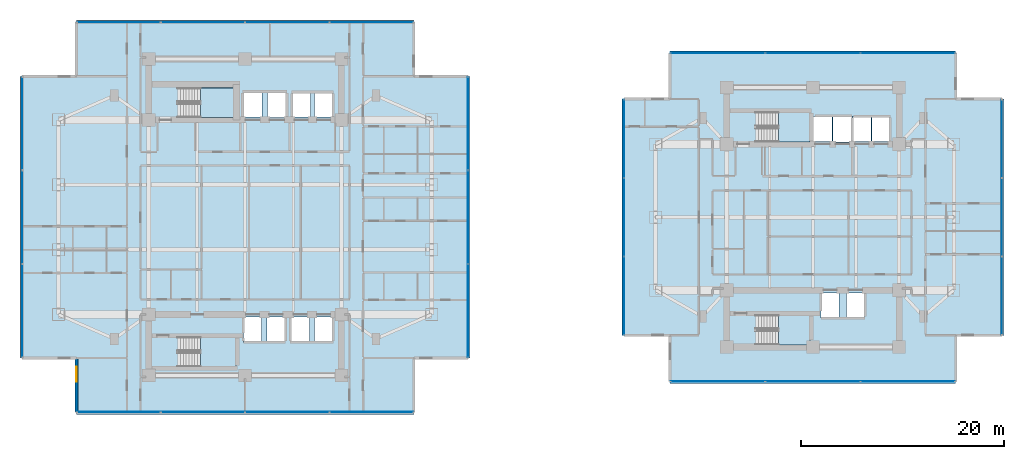
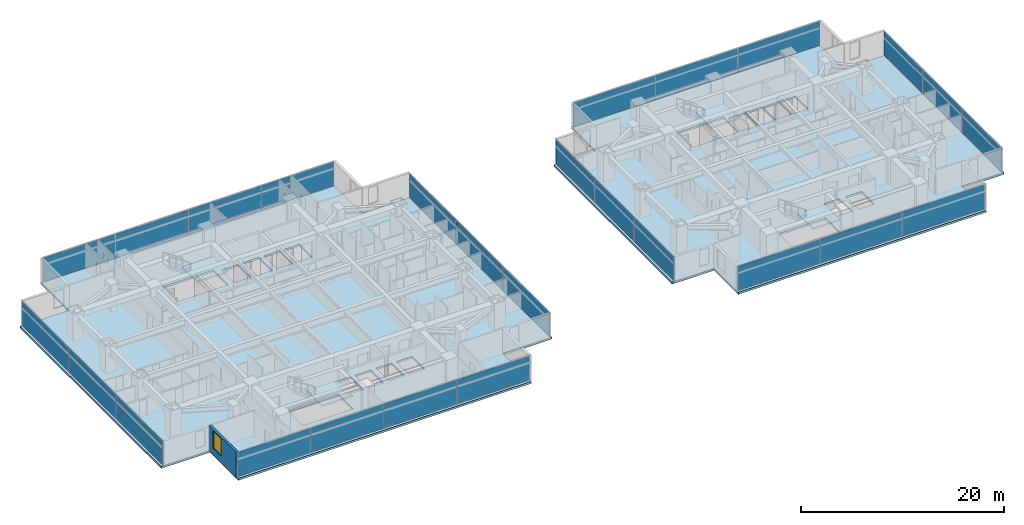
# One storey, part 12 of 24: 26 plates, 6 slabs, 1 wall, 1 window, 1 opening, 12 elements without a shape of their own.
"""IFC4 building model written with IfcOpenShell, lengths in metres."""

import ifcopenshell
import ifcopenshell.guid

model = None  # the IFC model being written
_history = None  # IfcOwnerHistory: only IFC2X3 demands one
_inside = {}  # id of a spatial element -> (the spatial element, [elements in it])
_under = {}  # id of a project, library or spatial element -> (it, [spatial elements below it])
_declared = {}  # id of a project -> (the project, [libraries it declares])
_typed = {}  # id of a type object -> (the type object, [elements of that type])
_made_of = {}  # id of a material, layer set ... -> (it, [elements and type objects made of it])


def new_model(schema):
    """Start an empty IFC model of exactly this schema.

    Asked for "IFC4X3", IfcOpenShell would pick the latest addendum, in which some entities
    have other attributes; the version numbers below select the first issue.
    IFC2X3 requires an IfcOwnerHistory on every rooted entity: one is made here for all.
    """
    global model, _history
    if schema == "IFC4X3":
        model = ifcopenshell.file(schema_version=(4, 3, 0, 0))
    else:
        model = ifcopenshell.file(schema=schema)
    _inside.clear()
    _under.clear()
    _declared.clear()
    _typed.clear()
    _made_of.clear()
    _history = None
    if model.schema == "IFC2X3":
        org = make("IfcOrganization", Name="unknown")
        user = make(
            "IfcPersonAndOrganization",
            ThePerson=make("IfcPerson", FamilyName="unknown"),
            TheOrganization=org,
        )
        app = make(
            "IfcApplication",
            ApplicationDeveloper=org,
            Version="unknown",
            ApplicationFullName="unknown",
            ApplicationIdentifier="unknown",
        )
        _history = make(
            "IfcOwnerHistory",
            OwningUser=user,
            OwningApplication=app,
            ChangeAction="ADDED",
            CreationDate=0,
        )
    return model


def make(cls, **values):
    """One entity of the class cls with the attributes given. An attribute that is None is left unset."""
    return model.create_entity(
        cls, **{name: value for name, value in values.items() if value is not None}
    )


def rooted(cls, **values):
    """An entity with a GlobalId (a new one), such as an element, a storey or a relation."""
    return make(cls, GlobalId=ifcopenshell.guid.new(), OwnerHistory=_history, **values)


def si_unit(unit_type, name, prefix=None):
    """IfcSIUnit, for example si_unit("LENGTHUNIT", "METRE", prefix="MILLI")."""
    return make("IfcSIUnit", UnitType=unit_type, Prefix=prefix, Name=name)


def assignment(units):
    """IfcUnitAssignment: the units of a project."""
    return None if units is None else make("IfcUnitAssignment", Units=units)


def point(xyz):
    """IfcCartesianPoint."""
    return None if xyz is None else make("IfcCartesianPoint", Coordinates=xyz)


def direction(xyz):
    """IfcDirection."""
    return None if xyz is None else make("IfcDirection", DirectionRatios=xyz)


def frame(location, z_axis=None, x_axis=None):
    """IfcAxis2Placement3D, a coordinate frame: its origin and axes. An axis left out is left unset."""
    return make(
        "IfcAxis2Placement3D",
        Location=point(location),
        Axis=direction(z_axis),
        RefDirection=direction(x_axis),
    )


def frame_2d(location, x_axis=None):
    """IfcAxis2Placement2D, a coordinate frame in the plane: its origin and x axis."""
    return make(
        "IfcAxis2Placement2D", Location=point(location), RefDirection=direction(x_axis)
    )


def origin():
    """The frame at (0, 0, 0) with its axes left unset."""
    return frame((0.0, 0.0, 0.0))


def origin_2d():
    """The frame at (0, 0) in the plane with its x axis left unset."""
    return frame_2d((0.0, 0.0))


def place(relative_to, where):
    """IfcLocalPlacement: puts the frame where relative to a parent placement (None: the world)."""
    return make(
        "IfcLocalPlacement", PlacementRelTo=relative_to, RelativePlacement=where
    )


def context(
    kind, dimensions, precision=None, world=None, true_north=None, identifier=None
):
    """IfcGeometricRepresentationContext, for example the 3D "Model" context."""
    return make(
        "IfcGeometricRepresentationContext",
        ContextIdentifier=identifier,
        ContextType=kind,
        CoordinateSpaceDimension=dimensions,
        Precision=precision,
        WorldCoordinateSystem=world,
        TrueNorth=true_north,
    )


def subcontext(parent, identifier, kind, view, scale=None):
    """IfcGeometricRepresentationSubContext, for example "Body" below "Model"."""
    return make(
        "IfcGeometricRepresentationSubContext",
        ContextIdentifier=identifier,
        ContextType=kind,
        ParentContext=parent,
        TargetScale=scale,
        TargetView=view,
    )


def project(units=None, contexts=None):
    """IfcProject with its units and contexts."""
    return rooted(
        "IfcProject",
        Name="project",
        RepresentationContexts=contexts,
        UnitsInContext=assignment(units),
    )


def spatial(cls, under=None, at=None, **own):
    """A site, building, storey or space (cls), placed at a placement, below another one or the project."""
    s = rooted(cls, ObjectPlacement=at, **own)
    if under is not None:
        _under.setdefault(under.id(), (under, []))[1].append(s)
    return s


def polyline(points):
    """IfcPolyline through the points."""
    return make("IfcPolyline", Points=[point(p) for p in points])


def profile(cls, at=None, kind="AREA", **sizes):
    """A parametric profile (cls). Its sizes go by their IFC names, for example OverallWidth=200.0."""
    return make(cls, ProfileType=kind, Position=at, **sizes)


def rectangle(**sizes):
    """IfcRectangleProfileDef."""
    return profile("IfcRectangleProfileDef", **sizes)


def outline(outer, holes=None, kind="AREA"):
    """IfcArbitraryClosedProfileDef: a profile drawn as a closed curve; with holes, ...WithVoids."""
    if holes is None:
        return make("IfcArbitraryClosedProfileDef", ProfileType=kind, OuterCurve=outer)
    return make(
        "IfcArbitraryProfileDefWithVoids",
        ProfileType=kind,
        OuterCurve=outer,
        InnerCurves=holes,
    )


def extrude(swept, where, along, depth):
    """IfcExtrudedAreaSolid: the profile swept, set in the frame where, extruded along a direction by depth."""
    return make(
        "IfcExtrudedAreaSolid",
        SweptArea=swept,
        Position=where,
        ExtrudedDirection=direction(along),
        Depth=depth,
    )


def shape(context_of_items, identifier, shape_type, items):
    """IfcShapeRepresentation: the items that make up one representation, for example the "Body"."""
    return make(
        "IfcShapeRepresentation",
        ContextOfItems=context_of_items,
        RepresentationIdentifier=identifier,
        RepresentationType=shape_type,
        Items=items,
    )


def material(Name=None, Category=None):
    """IfcMaterial."""
    return make("IfcMaterial", Name=Name, Category=Category)


def layer(
    of_material, thickness, ventilated=None, Name=None, Category=None, Priority=None
):
    """IfcMaterialLayer: one layer of a wall or slab, of a material (None: an air gap)."""
    return make(
        "IfcMaterialLayer",
        Material=of_material,
        LayerThickness=thickness,
        IsVentilated=ventilated,
        Name=Name,
        Category=Category,
        Priority=Priority,
    )


def layer_set(layers, Name=None):
    """IfcMaterialLayerSet."""
    return make("IfcMaterialLayerSet", MaterialLayers=layers, LayerSetName=Name)


def made_of(thing, what):
    """Note that an element or type object is made of a material, layer set ...; save() writes the relation."""
    if what is not None:
        _made_of.setdefault(what.id(), (what, []))[1].append(thing)
    return thing


def type_object(cls, material=None, **own):
    """A type object (cls), such as IfcWallType, which elements share."""
    return made_of(rooted(cls, **own), material)


def element(
    cls,
    number,
    at=None,
    inside=None,
    cuts=None,
    type_object=None,
    material=None,
    context=None,
    identifier="Body",
    shape_type=None,
    held_by="IfcProductDefinitionShape",
    body=None,
    shapes=None,
    **own,
):
    """One element of the class cls, such as IfcWall. Its Tag is "e" and its number.

    at: its placement. inside: the storey or other place that contains it. cuts: it is an
    opening in that element (IfcRelVoidsElement). A single representation is given by context,
    identifier, shape_type and body (its items); several are given by shapes. held_by: the class
    of the entity that holds the representations. save() writes the other relations.
    """
    e = rooted(cls, Tag="e%d" % number, ObjectPlacement=at, **own)
    if body is not None:
        shapes = [shape(context, identifier, shape_type, body)]
    if shapes is not None:
        e.Representation = make(held_by, Representations=shapes)
    if inside is not None:
        _inside.setdefault(inside.id(), (inside, []))[1].append(e)
    if cuts is not None:
        rooted(
            "IfcRelVoidsElement", RelatingBuildingElement=cuts, RelatedOpeningElement=e
        )
    if type_object is not None:
        _typed.setdefault(type_object.id(), (type_object, []))[1].append(e)
    return made_of(e, material)


def fill(opening, filler):
    """IfcRelFillsElement: the door or window that sits in an opening."""
    return rooted(
        "IfcRelFillsElement",
        RelatingOpeningElement=opening,
        RelatedBuildingElement=filler,
    )


def aggregate(whole, parts):
    """IfcRelAggregates: a whole, such as a stair, and the parts it consists of."""
    return rooted("IfcRelAggregates", RelatingObject=whole, RelatedObjects=parts)


def save(model, path):
    """Write the relations noted so far, then the file.

    IfcRelAggregates (storeys below a building ...), IfcRelContainedInSpatialStructure (elements
    in a storey), IfcRelDefinesByType, IfcRelAssociatesMaterial and IfcRelDeclares: one each for
    every whole, place, type object, material and project.
    """
    for whole, parts in _under.values():
        aggregate(whole, parts)
    for where, things in _inside.values():
        rooted(
            "IfcRelContainedInSpatialStructure",
            RelatedElements=things,
            RelatingStructure=where,
        )
    for kind, things in _typed.values():
        rooted("IfcRelDefinesByType", RelatedObjects=things, RelatingType=kind)
    for what, things in _made_of.values():
        rooted("IfcRelAssociatesMaterial", RelatedObjects=things, RelatingMaterial=what)
    for by, libraries in _declared.values():
        rooted("IfcRelDeclares", RelatingContext=by, RelatedDefinitions=libraries)
    model.write(path)


model = new_model("IFC4")

# Units and contexts
model_context = context("Model", 3, precision=1e-05, world=origin(), true_north=direction((0.0, 1.0)))
body_context = subcontext(model_context, "Body", "Model", "MODEL_VIEW")
ifc_project = project(units=[si_unit("LENGTHUNIT", "METRE"), si_unit("AREAUNIT", "SQUARE_METRE"), si_unit("VOLUMEUNIT", "CUBIC_METRE"), si_unit("PLANEANGLEUNIT", "RADIAN"), si_unit("MASSUNIT", "GRAM", prefix="KILO")], contexts=[model_context])

# Site, building, storey
site_placement = place(None, origin())
site = spatial("IfcSite", under=ifc_project, at=site_placement, CompositionType="ELEMENT")
building_placement = place(site_placement, origin())
building = spatial("IfcBuilding", under=site, at=building_placement, Name="Mirazonda Arch Towers", CompositionType="ELEMENT")
storey_placement = place(building_placement, frame((0.0, 0.0, 68.60009765625)))
storey = spatial("IfcBuildingStorey", under=building, at=storey_placement, Name="L19", CompositionType="ELEMENT", Elevation=68.60009765625)

# Curtain wall, plates
ifc_material_1 = material(Name="Anodised Aluminium and Low-E Glass", Category="aluminium")
curtain_wall_type = type_object("IfcCurtainWallType", Name="CW-HTL-UNIT", PredefinedType="NOTDEFINED", material=ifc_material_1)
curtain_wall_1_placement = place(storey_placement, origin())
curtain_wall_1 = element("IfcCurtainWall", 1, at=curtain_wall_1_placement, inside=storey, type_object=curtain_wall_type, Name="L19 T1 S Facade CW-L19-T1-S", PredefinedType="NOTDEFINED")
ifc_material_2 = material(Name="Insulated Low-E Solar Glass", Category="glass")
ifc_layer_1 = layer(ifc_material_2, 0.035888671875, Name="PAN-CW-HTL-UNIT")
ifc_layer_set_1 = layer_set([ifc_layer_1], Name="Insulated Low-E Solar Glass")
plate_type = type_object("IfcPlateType", Name="PAN-CW-HTL-UNIT", PredefinedType="CURTAIN_PANEL", material=ifc_layer_set_1)
plate_1_placement = place(storey_placement, frame((32.961181640625, 8.77001953125, 0.0751953125), z_axis=(0.0, 0.0, 1.0), x_axis=(-1.0, 0.0, 0.0)))
plate_1 = element("IfcPlate", 2, at=plate_1_placement, type_object=plate_type, Name="CW-112 panel 1.1", PredefinedType="CURTAIN_PANEL", context=body_context, shape_type="SweptSolid", body=[
    extrude(rectangle(XDim=8.20751953125, YDim=0.035888671875, at=origin_2d()), origin(), (0.0, 0.0, 1.0), 2.889892578125),
])
plate_2_placement = place(storey_placement, frame((24.659912109375, 8.77001953125, 0.0751953125), z_axis=(0.0, 0.0, 1.0), x_axis=(-1.0, 0.0, 0.0)))
plate_2 = element("IfcPlate", 3, at=plate_2_placement, type_object=plate_type, Name="CW-112 panel 2.1", PredefinedType="CURTAIN_PANEL", context=body_context, shape_type="SweptSolid", body=[
    extrude(rectangle(XDim=8.2451171875, YDim=0.035888671875, at=origin_2d()), origin(), (0.0, 0.0, 1.0), 2.889892578125),
])
plate_3_placement = place(storey_placement, frame((16.340087890625, 8.77001953125, 0.0751953125), z_axis=(0.0, 0.0, 1.0), x_axis=(-1.0, 0.0, 0.0)))
plate_3 = element("IfcPlate", 4, at=plate_3_placement, type_object=plate_type, Name="CW-112 panel 3.1", PredefinedType="CURTAIN_PANEL", context=body_context, shape_type="SweptSolid", body=[
    extrude(rectangle(XDim=8.2451171875, YDim=0.035888671875, at=origin_2d()), origin(), (0.0, 0.0, 1.0), 2.889892578125),
])
plate_4_placement = place(storey_placement, frame((8.038818359375, 8.77001953125, 0.0751953125), z_axis=(0.0, 0.0, 1.0), x_axis=(-1.0, 0.0, 0.0)))
plate_4 = element("IfcPlate", 5, at=plate_4_placement, type_object=plate_type, Name="CW-112 panel 4.1", PredefinedType="CURTAIN_PANEL", context=body_context, shape_type="SweptSolid", body=[
    extrude(rectangle(XDim=8.20751953125, YDim=0.035888671875, at=origin_2d()), origin(), (0.0, 0.0, 1.0), 2.889892578125),
])
aggregate(curtain_wall_1, [plate_1, plate_2, plate_3, plate_4])

curtain_wall_2_placement = place(storey_placement, origin())
curtain_wall_2 = element("IfcCurtainWall", 6, at=curtain_wall_2_placement, inside=storey, type_object=curtain_wall_type, Name="L19 T1 E Facade CW-L19-T1-E", PredefinedType="NOTDEFINED")
plate_5_placement = place(storey_placement, frame((42.47998046875, 18.7587890625, 0.0751953125), z_axis=(0.0, 0.0, 1.0), x_axis=(0.0, 1.0, 0.0)))
plate_5 = element("IfcPlate", 7, at=plate_5_placement, type_object=plate_type, Name="CW-112 panel 1.1", PredefinedType="CURTAIN_PANEL", context=body_context, shape_type="SweptSolid", body=[
    extrude(rectangle(XDim=9.1474609375, YDim=0.035888671875, at=origin_2d()), origin(), (0.0, 0.0, 1.0), 2.889892578125),
])
plate_6_placement = place(storey_placement, frame((42.47998046875, 28.0, 0.0751953125), z_axis=(0.0, 0.0, 1.0), x_axis=(0.0, 1.0, 0.0)))
plate_6 = element("IfcPlate", 8, at=plate_6_placement, type_object=plate_type, Name="CW-112 panel 2.1", PredefinedType="CURTAIN_PANEL", context=body_context, shape_type="SweptSolid", body=[
    extrude(rectangle(XDim=9.18505859375, YDim=0.035888671875, at=origin_2d()), origin(), (0.0, 0.0, 1.0), 2.889892578125),
])
plate_7_placement = place(storey_placement, frame((42.47998046875, 37.2412109375, 0.0751953125), z_axis=(0.0, 0.0, 1.0), x_axis=(0.0, 1.0, 0.0)))
plate_7 = element("IfcPlate", 9, at=plate_7_placement, type_object=plate_type, Name="CW-112 panel 3.1", PredefinedType="CURTAIN_PANEL", context=body_context, shape_type="SweptSolid", body=[
    extrude(rectangle(XDim=9.1474609375, YDim=0.035888671875, at=origin_2d()), origin(), (0.0, 0.0, 1.0), 2.889892578125),
])
aggregate(curtain_wall_2, [plate_5, plate_6, plate_7])

curtain_wall_3_placement = place(storey_placement, origin())
curtain_wall_3 = element("IfcCurtainWall", 10, at=curtain_wall_3_placement, inside=storey, type_object=curtain_wall_type, Name="L19 T1 N Facade CW-L19-T1-N", PredefinedType="NOTDEFINED")
plate_8_placement = place(storey_placement, frame((8.038818359375, 47.22998046875, 0.0751953125), z_axis=(0.0, 0.0, 1.0), x_axis=(1.0, 0.0, 0.0)))
plate_8 = element("IfcPlate", 11, at=plate_8_placement, type_object=plate_type, Name="CW-112 panel 1.1", PredefinedType="CURTAIN_PANEL", context=body_context, shape_type="SweptSolid", body=[
    extrude(rectangle(XDim=8.20751953125, YDim=0.035888671875, at=origin_2d()), origin(), (0.0, 0.0, 1.0), 2.889892578125),
])
plate_9_placement = place(storey_placement, frame((16.340087890625, 47.22998046875, 0.0751953125), z_axis=(0.0, 0.0, 1.0), x_axis=(1.0, 0.0, 0.0)))
plate_9 = element("IfcPlate", 12, at=plate_9_placement, type_object=plate_type, Name="CW-112 panel 2.1", PredefinedType="CURTAIN_PANEL", context=body_context, shape_type="SweptSolid", body=[
    extrude(rectangle(XDim=8.2451171875, YDim=0.035888671875, at=origin_2d()), origin(), (0.0, 0.0, 1.0), 2.889892578125),
])
plate_10_placement = place(storey_placement, frame((24.659912109375, 47.22998046875, 0.0751953125), z_axis=(0.0, 0.0, 1.0), x_axis=(1.0, 0.0, 0.0)))
plate_10 = element("IfcPlate", 13, at=plate_10_placement, type_object=plate_type, Name="CW-112 panel 3.1", PredefinedType="CURTAIN_PANEL", context=body_context, shape_type="SweptSolid", body=[
    extrude(rectangle(XDim=8.2451171875, YDim=0.035888671875, at=origin_2d()), origin(), (0.0, 0.0, 1.0), 2.889892578125),
])
plate_11_placement = place(storey_placement, frame((32.961181640625, 47.22998046875, 0.0751953125), z_axis=(0.0, 0.0, 1.0), x_axis=(1.0, 0.0, 0.0)))
plate_11 = element("IfcPlate", 14, at=plate_11_placement, type_object=plate_type, Name="CW-112 panel 4.1", PredefinedType="CURTAIN_PANEL", context=body_context, shape_type="SweptSolid", body=[
    extrude(rectangle(XDim=8.20751953125, YDim=0.035888671875, at=origin_2d()), origin(), (0.0, 0.0, 1.0), 2.889892578125),
])
aggregate(curtain_wall_3, [plate_8, plate_9, plate_10, plate_11])

curtain_wall_4_placement = place(storey_placement, origin())
curtain_wall_4 = element("IfcCurtainWall", 15, at=curtain_wall_4_placement, inside=storey, type_object=curtain_wall_type, Name="L19 T1 W Facade CW-L19-T1-W", PredefinedType="NOTDEFINED")
plate_12_placement = place(storey_placement, frame((-1.47998046875, 37.2412109375, 0.0751953125), z_axis=(0.0, 0.0, 1.0), x_axis=(0.0, -1.0, 0.0)))
plate_12 = element("IfcPlate", 16, at=plate_12_placement, type_object=plate_type, Name="CW-112 panel 1.1", PredefinedType="CURTAIN_PANEL", context=body_context, shape_type="SweptSolid", body=[
    extrude(rectangle(XDim=9.1474609375, YDim=0.035888671875, at=origin_2d()), origin(), (0.0, 0.0, 1.0), 2.889892578125),
])
plate_13_placement = place(storey_placement, frame((-1.47998046875, 28.0, 0.0751953125), z_axis=(0.0, 0.0, 1.0), x_axis=(0.0, -1.0, 0.0)))
plate_13 = element("IfcPlate", 17, at=plate_13_placement, type_object=plate_type, Name="CW-112 panel 2.1", PredefinedType="CURTAIN_PANEL", context=body_context, shape_type="SweptSolid", body=[
    extrude(rectangle(XDim=9.18505859375, YDim=0.035888671875, at=origin_2d()), origin(), (0.0, 0.0, 1.0), 2.889892578125),
])
plate_14_placement = place(storey_placement, frame((-1.47998046875, 18.7587890625, 0.0751953125), z_axis=(0.0, 0.0, 1.0), x_axis=(0.0, -1.0, 0.0)))
plate_14 = element("IfcPlate", 18, at=plate_14_placement, type_object=plate_type, Name="CW-112 panel 3.1", PredefinedType="CURTAIN_PANEL", context=body_context, shape_type="SweptSolid", body=[
    extrude(rectangle(XDim=9.1474609375, YDim=0.035888671875, at=origin_2d()), origin(), (0.0, 0.0, 1.0), 2.889892578125),
])
aggregate(curtain_wall_4, [plate_12, plate_13, plate_14])

curtain_wall_5_placement = place(storey_placement, origin())
curtain_wall_5 = element("IfcCurtainWall", 19, at=curtain_wall_5_placement, inside=storey, type_object=curtain_wall_type, Name="L19 T2 S Facade CW-L19-T2-S", PredefinedType="NOTDEFINED")
plate_15_placement = place(storey_placement, frame((85.87060546875, 11.8076171875, 0.0751953125), z_axis=(0.0, 0.0, 1.0), x_axis=(-1.0, 0.0, 0.0)))
plate_15 = element("IfcPlate", 20, at=plate_15_placement, type_object=plate_type, Name="CW-112 panel 1.1", PredefinedType="CURTAIN_PANEL", context=body_context, shape_type="SweptSolid", body=[
    extrude(rectangle(XDim=9.27685546875, YDim=0.035888671875, at=origin_2d()), origin(), (0.0, 0.0, 1.0), 2.889892578125),
])
plate_16_placement = place(storey_placement, frame((76.5, 11.8076171875, 0.0751953125), z_axis=(0.0, 0.0, 1.0), x_axis=(-1.0, 0.0, 0.0)))
plate_16 = element("IfcPlate", 21, at=plate_16_placement, type_object=plate_type, Name="CW-112 panel 2.1", PredefinedType="CURTAIN_PANEL", context=body_context, shape_type="SweptSolid", body=[
    extrude(rectangle(XDim=9.314453125, YDim=0.035888671875, at=origin_2d()), origin(), (0.0, 0.0, 1.0), 2.889892578125),
])
plate_17_placement = place(storey_placement, frame((67.12939453125, 11.8076171875, 0.0751953125), z_axis=(0.0, 0.0, 1.0), x_axis=(-1.0, 0.0, 0.0)))
plate_17 = element("IfcPlate", 22, at=plate_17_placement, type_object=plate_type, Name="CW-112 panel 3.1", PredefinedType="CURTAIN_PANEL", context=body_context, shape_type="SweptSolid", body=[
    extrude(rectangle(XDim=9.27685546875, YDim=0.035888671875, at=origin_2d()), origin(), (0.0, 0.0, 1.0), 2.889892578125),
])
aggregate(curtain_wall_5, [plate_15, plate_16, plate_17])

curtain_wall_6_placement = place(storey_placement, origin())
curtain_wall_6 = element("IfcCurtainWall", 23, at=curtain_wall_6_placement, inside=storey, type_object=curtain_wall_type, Name="L19 T2 E Facade CW-L19-T2-E", PredefinedType="NOTDEFINED")
plate_18_placement = place(storey_placement, frame((95.1298828125, 20.25439453125, 0.0751953125), z_axis=(0.0, 0.0, 1.0), x_axis=(0.0, 1.0, 0.0)))
plate_18 = element("IfcPlate", 24, at=plate_18_placement, type_object=plate_type, Name="CW-112 panel 1.1", PredefinedType="CURTAIN_PANEL", context=body_context, shape_type="SweptSolid", body=[
    extrude(rectangle(XDim=7.65185546875, YDim=0.035888671875, at=origin_2d()), origin(), (0.0, 0.0, 1.0), 2.889892578125),
])
plate_19_placement = place(storey_placement, frame((95.1298828125, 28.0, 0.0751953125), z_axis=(0.0, 0.0, 1.0), x_axis=(0.0, 1.0, 0.0)))
plate_19 = element("IfcPlate", 25, at=plate_19_placement, type_object=plate_type, Name="CW-112 panel 2.1", PredefinedType="CURTAIN_PANEL", context=body_context, shape_type="SweptSolid", body=[
    extrude(rectangle(XDim=7.689453125, YDim=0.035888671875, at=origin_2d()), origin(), (0.0, 0.0, 1.0), 2.889892578125),
])
plate_20_placement = place(storey_placement, frame((95.1298828125, 35.74560546875, 0.0751953125), z_axis=(0.0, 0.0, 1.0), x_axis=(0.0, 1.0, 0.0)))
plate_20 = element("IfcPlate", 26, at=plate_20_placement, type_object=plate_type, Name="CW-112 panel 3.1", PredefinedType="CURTAIN_PANEL", context=body_context, shape_type="SweptSolid", body=[
    extrude(rectangle(XDim=7.65185546875, YDim=0.035888671875, at=origin_2d()), origin(), (0.0, 0.0, 1.0), 2.889892578125),
])
aggregate(curtain_wall_6, [plate_18, plate_19, plate_20])

curtain_wall_7_placement = place(storey_placement, origin())
curtain_wall_7 = element("IfcCurtainWall", 27, at=curtain_wall_7_placement, inside=storey, type_object=curtain_wall_type, Name="L19 T2 N Facade CW-L19-T2-N", PredefinedType="NOTDEFINED")
plate_21_placement = place(storey_placement, frame((67.12939453125, 44.1923828125, 0.0751953125), z_axis=(0.0, 0.0, 1.0), x_axis=(1.0, 0.0, 0.0)))
plate_21 = element("IfcPlate", 28, at=plate_21_placement, type_object=plate_type, Name="CW-112 panel 1.1", PredefinedType="CURTAIN_PANEL", context=body_context, shape_type="SweptSolid", body=[
    extrude(rectangle(XDim=9.27685546875, YDim=0.035888671875, at=origin_2d()), origin(), (0.0, 0.0, 1.0), 2.889892578125),
])
plate_22_placement = place(storey_placement, frame((76.5, 44.1923828125, 0.0751953125), z_axis=(0.0, 0.0, 1.0), x_axis=(1.0, 0.0, 0.0)))
plate_22 = element("IfcPlate", 29, at=plate_22_placement, type_object=plate_type, Name="CW-112 panel 2.1", PredefinedType="CURTAIN_PANEL", context=body_context, shape_type="SweptSolid", body=[
    extrude(rectangle(XDim=9.314453125, YDim=0.035888671875, at=origin_2d()), origin(), (0.0, 0.0, 1.0), 2.889892578125),
])
plate_23_placement = place(storey_placement, frame((85.87060546875, 44.1923828125, 0.0751953125), z_axis=(0.0, 0.0, 1.0), x_axis=(1.0, 0.0, 0.0)))
plate_23 = element("IfcPlate", 30, at=plate_23_placement, type_object=plate_type, Name="CW-112 panel 3.1", PredefinedType="CURTAIN_PANEL", context=body_context, shape_type="SweptSolid", body=[
    extrude(rectangle(XDim=9.27685546875, YDim=0.035888671875, at=origin_2d()), origin(), (0.0, 0.0, 1.0), 2.889892578125),
])
aggregate(curtain_wall_7, [plate_21, plate_22, plate_23])

curtain_wall_8_placement = place(storey_placement, origin())
curtain_wall_8 = element("IfcCurtainWall", 31, at=curtain_wall_8_placement, inside=storey, type_object=curtain_wall_type, Name="L19 T2 W Facade CW-L19-T2-W", PredefinedType="NOTDEFINED")
plate_24_placement = place(storey_placement, frame((57.8701171875, 35.74560546875, 0.0751953125), z_axis=(0.0, 0.0, 1.0), x_axis=(0.0, -1.0, 0.0)))
plate_24 = element("IfcPlate", 32, at=plate_24_placement, type_object=plate_type, Name="CW-112 panel 1.1", PredefinedType="CURTAIN_PANEL", context=body_context, shape_type="SweptSolid", body=[
    extrude(rectangle(XDim=7.65185546875, YDim=0.035888671875, at=origin_2d()), origin(), (0.0, 0.0, 1.0), 2.889892578125),
])
plate_25_placement = place(storey_placement, frame((57.8701171875, 28.0, 0.0751953125), z_axis=(0.0, 0.0, 1.0), x_axis=(0.0, -1.0, 0.0)))
plate_25 = element("IfcPlate", 33, at=plate_25_placement, type_object=plate_type, Name="CW-112 panel 2.1", PredefinedType="CURTAIN_PANEL", context=body_context, shape_type="SweptSolid", body=[
    extrude(rectangle(XDim=7.689453125, YDim=0.035888671875, at=origin_2d()), origin(), (0.0, 0.0, 1.0), 2.889892578125),
])
plate_26_placement = place(storey_placement, frame((57.8701171875, 20.25439453125, 0.0751953125), z_axis=(0.0, 0.0, 1.0), x_axis=(0.0, -1.0, 0.0)))
plate_26 = element("IfcPlate", 34, at=plate_26_placement, type_object=plate_type, Name="CW-112 panel 3.1", PredefinedType="CURTAIN_PANEL", context=body_context, shape_type="SweptSolid", body=[
    extrude(rectangle(XDim=7.65185546875, YDim=0.035888671875, at=origin_2d()), origin(), (0.0, 0.0, 1.0), 2.889892578125),
])
aggregate(curtain_wall_8, [plate_24, plate_25, plate_26])

# Stair, slab
ifc_material_3 = material(Name="Concrete C40/50", Category="concrete")
stair_type = type_object("IfcStairType", Name="STAIR-CORE-1400", PredefinedType="HALF_TURN_STAIR", material=ifc_material_3)
stair_1_placement = place(storey_placement, origin())
stair_1 = element("IfcStair", 35, at=stair_1_placement, inside=storey, type_object=stair_type, Name="L19 Protected Exit Stair ST-T1N", PredefinedType="HALF_TURN_STAIR")
ifc_layer_2 = layer(ifc_material_3, 0.18994140625, Name="SLAB-LANDING-190")
ifc_layer_set_2 = layer_set([ifc_layer_2], Name="Concrete C40/50")
slab_type_1 = type_object("IfcSlabType", Name="SLAB-LANDING-190", PredefinedType="LANDING", material=ifc_layer_set_2)
slab_1_placement = place(storey_placement, frame((0.0, 0.0, 1.449951171875)))
slab_1 = element("IfcSlab", 36, at=slab_1_placement, type_object=slab_type_1, Name="ST-T1N landing 1", PredefinedType="LANDING", context=body_context, shape_type="SweptSolid", body=[
    extrude(outline(polyline([(16.090087890625, 37.820068359375), (19.60009765625, 37.820068359375), (19.60009765625, 40.760009765625), (16.090087890625, 40.760009765625), (16.090087890625, 37.820068359375)])), origin(), (0.0, 0.0, 1.0), 0.199951171875),
])
aggregate(stair_1, [slab_1])

stair_2_placement = place(storey_placement, origin())
stair_2 = element("IfcStair", 37, at=stair_2_placement, inside=storey, type_object=stair_type, Name="L19 Protected Exit Stair ST-T1S", PredefinedType="HALF_TURN_STAIR")
slab_2_placement = place(storey_placement, frame((0.0, 0.0, 1.449951171875)))
slab_2 = element("IfcSlab", 38, at=slab_2_placement, type_object=slab_type_1, Name="ST-T1S landing 1", PredefinedType="LANDING", context=body_context, shape_type="SweptSolid", body=[
    extrude(outline(polyline([(16.090087890625, 13.25), (19.60009765625, 13.25), (19.60009765625, 16.18994140625), (16.090087890625, 16.18994140625), (16.090087890625, 13.25)])), origin(), (0.0, 0.0, 1.0), 0.199951171875),
])
aggregate(stair_2, [slab_2])

stair_3_placement = place(storey_placement, origin())
stair_3 = element("IfcStair", 39, at=stair_3_placement, inside=storey, type_object=stair_type, Name="L19 Protected Exit Stair ST-T2N", PredefinedType="HALF_TURN_STAIR")
slab_3_placement = place(storey_placement, frame((0.0, 0.0, 1.449951171875)))
slab_3 = element("IfcSlab", 40, at=slab_3_placement, type_object=slab_type_1, Name="ST-T2N landing 1", PredefinedType="LANDING", context=body_context, shape_type="SweptSolid", body=[
    extrude(outline(polyline([(73.090087890625, 35.419921875), (76.22998046875, 35.419921875), (76.22998046875, 38.360107421875), (73.090087890625, 38.360107421875), (73.090087890625, 35.419921875)])), origin(), (0.0, 0.0, 1.0), 0.199951171875),
])
aggregate(stair_3, [slab_3])

stair_4_placement = place(storey_placement, origin())
stair_4 = element("IfcStair", 41, at=stair_4_placement, inside=storey, type_object=stair_type, Name="L19 Protected Exit Stair ST-T2S", PredefinedType="HALF_TURN_STAIR")
slab_4_placement = place(storey_placement, frame((0.0, 0.0, 1.449951171875)))
slab_4 = element("IfcSlab", 42, at=slab_4_placement, type_object=slab_type_1, Name="ST-T2S landing 1", PredefinedType="LANDING", context=body_context, shape_type="SweptSolid", body=[
    extrude(outline(polyline([(73.090087890625, 15.419921875), (76.22998046875, 15.419921875), (76.22998046875, 18.360107421875), (73.090087890625, 18.360107421875), (73.090087890625, 15.419921875)])), origin(), (0.0, 0.0, 1.0), 0.199951171875),
])
aggregate(stair_4, [slab_4])

# Slabs
ifc_layer_3 = layer(ifc_material_3, 0.239990234375, Name="SLAB-TWR-240")
ifc_layer_set_3 = layer_set([ifc_layer_3], Name="Concrete C40/50")
slab_type_2 = type_object("IfcSlabType", Name="SLAB-TWR-240", PredefinedType="FLOOR", material=ifc_layer_set_3)
slab_5_placement = place(storey_placement, frame((0.0, 0.0, -0.239990234375)))
element("IfcSlab", 43, at=slab_5_placement, inside=storey, type_object=slab_type_2, Name="L19 Tower 1 Floor Slab", PredefinedType="FLOOR", context=body_context, shape_type="SweptSolid", body=[
    extrude(outline(polyline([(3.860107421875, 8.550048828125), (37.139892578125, 8.550048828125), (37.139892578125, 14.110107421875), (42.699951171875, 14.110107421875), (42.699951171875, 41.889892578125), (37.139892578125, 41.889892578125), (37.139892578125, 47.449951171875), (3.860107421875, 47.449951171875), (3.860107421875, 41.889892578125), (-1.699951171875, 41.889892578125), (-1.699951171875, 14.110107421875), (3.860107421875, 14.110107421875), (3.860107421875, 8.550048828125)]), holes=[polyline([(29.139892578125, 18.139892578125), (29.139892578125, 15.659912109375), (27.360107421875, 15.659912109375), (27.360107421875, 18.139892578125), (29.139892578125, 18.139892578125)]), polyline([(29.139892578125, 40.340087890625), (29.139892578125, 37.860107421875), (27.360107421875, 37.860107421875), (27.360107421875, 40.340087890625), (29.139892578125, 40.340087890625)]), polyline([(25.159912109375, 40.340087890625), (26.93994140625, 40.340087890625), (26.93994140625, 37.860107421875), (25.159912109375, 37.860107421875), (25.159912109375, 40.340087890625)]), polyline([(26.840087890625, 18.139892578125), (26.840087890625, 15.659912109375), (25.06005859375, 15.659912109375), (25.06005859375, 18.139892578125), (26.840087890625, 18.139892578125)]), polyline([(22.7099609375, 40.389892578125), (24.590087890625, 40.389892578125), (24.590087890625, 37.81005859375), (22.7099609375, 37.81005859375), (22.7099609375, 40.389892578125)]), polyline([(22.659912109375, 18.139892578125), (24.43994140625, 18.139892578125), (24.43994140625, 15.659912109375), (22.659912109375, 15.659912109375), (22.659912109375, 18.139892578125)]), polyline([(20.31005859375, 40.340087890625), (22.18994140625, 40.340087890625), (22.18994140625, 37.860107421875), (20.31005859375, 37.860107421875), (20.31005859375, 40.340087890625)]), polyline([(20.360107421875, 18.139892578125), (22.139892578125, 18.139892578125), (22.139892578125, 15.659912109375), (20.360107421875, 15.659912109375), (20.360107421875, 18.139892578125)]), polyline([(13.925048828125, 40.760009765625), (19.60009765625, 40.760009765625), (19.60009765625, 37.820068359375), (13.925048828125, 37.820068359375), (13.925048828125, 40.760009765625)]), polyline([(13.925048828125, 13.25), (13.925048828125, 16.18994140625), (19.60009765625, 16.18994140625), (19.60009765625, 13.25), (13.925048828125, 13.25)])]), origin(), (0.0, 0.0, 1.0), 0.239990234375),
])
slab_6_placement = place(storey_placement, frame((0.0, 0.0, -0.239990234375)))
element("IfcSlab", 44, at=slab_6_placement, inside=storey, type_object=slab_type_2, Name="L19 Tower 2 Floor Slab", PredefinedType="FLOOR", context=body_context, shape_type="SweptSolid", body=[
    extrude(outline(polyline([(62.416015625, 11.58740234375), (90.583984375, 11.58740234375), (90.583984375, 16.353515625), (95.35009765625, 16.353515625), (95.35009765625, 39.646484375), (90.583984375, 39.646484375), (90.583984375, 44.41259765625), (62.416015625, 44.41259765625), (62.416015625, 39.646484375), (57.64990234375, 39.646484375), (57.64990234375, 16.353515625), (62.416015625, 16.353515625), (62.416015625, 11.58740234375)]), holes=[polyline([(82.330078125, 37.93994140625), (84.110107421875, 37.93994140625), (84.110107421875, 35.4599609375), (82.330078125, 35.4599609375), (82.330078125, 37.93994140625)]), polyline([(80.449951171875, 37.93994140625), (82.22998046875, 37.93994140625), (82.22998046875, 35.4599609375), (80.449951171875, 35.4599609375), (80.449951171875, 37.93994140625)]), polyline([(79.81005859375, 20.5400390625), (81.590087890625, 20.5400390625), (81.590087890625, 18.06005859375), (79.81005859375, 18.06005859375), (79.81005859375, 20.5400390625)]), polyline([(78.47998046875, 37.989990234375), (80.360107421875, 37.989990234375), (80.360107421875, 35.409912109375), (78.47998046875, 35.409912109375), (78.47998046875, 37.989990234375)]), polyline([(77.31005859375, 20.5400390625), (79.090087890625, 20.5400390625), (79.090087890625, 18.06005859375), (77.31005859375, 18.06005859375), (77.31005859375, 20.5400390625)]), polyline([(76.510009765625, 37.93994140625), (78.389892578125, 37.93994140625), (78.389892578125, 35.4599609375), (76.510009765625, 35.4599609375), (76.510009765625, 37.93994140625)]), polyline([(70.925048828125, 15.419921875), (70.925048828125, 18.360107421875), (76.22998046875, 18.360107421875), (76.22998046875, 15.419921875), (70.925048828125, 15.419921875)]), polyline([(70.925048828125, 35.419921875), (70.925048828125, 38.360107421875), (76.22998046875, 38.360107421875), (76.22998046875, 35.419921875), (70.925048828125, 35.419921875)])]), origin(), (0.0, 0.0, 1.0), 0.239990234375),
])

# Wall, opening, window
ifc_material_4 = material(Name="Precast Concrete C40/50", Category="concrete")
ifc_layer_4 = layer(ifc_material_4, 0.280029296875, Name="WALL-EXT-WALL-280")
ifc_layer_set_4 = layer_set([ifc_layer_4], Name="Precast Concrete C40/50")
wall_type = type_object("IfcWallType", Name="WALL-EXT-WALL-280", PredefinedType="SOLIDWALL", material=ifc_layer_set_4)
wall_placement = place(storey_placement, frame((3.860107421875, 14.110107421875, 0.0), z_axis=(0.0, 0.0, 1.0), x_axis=(0.0, -1.0, 0.0)))
wall = element("IfcWall", 45, at=wall_placement, inside=storey, type_object=wall_type, Name="L19 T1 Notched SW Corner Wall WL-L19-T1-CSW", PredefinedType="SOLIDWALL", context=body_context, shape_type="SweptSolid", body=[
    extrude(rectangle(XDim=5.340087890625, YDim=0.280029296875, at=frame_2d((2.669921875, 0.0))), origin(), (0.0, 0.0, 1.0), 3.039794921875),
])
opening_placement = place(wall_placement, frame((0.85009765625, 0.0, 0.7900390625)))
opening = element("IfcOpeningElement", 46, at=opening_placement, cuts=wall, Name="Opening WN-120", PredefinedType="OPENING", context=body_context, shape_type="SweptSolid", body=[
    extrude(rectangle(XDim=1.5, YDim=2.10009765625, at=frame_2d((0.75, 1.050048828125))), frame((0.0, 0.14990234375, 0.0), z_axis=(0.0, -1.0, 0.0), x_axis=(1.0, 0.0, 0.0)), (0.0, 0.0, 1.0), 0.300048828125),
])
window_type = type_object("IfcWindowType", Name="WIN-HTL-1500x2100", PartitioningType="SINGLE_PANEL", PredefinedType="WINDOW", material=ifc_material_2)
window_placement = place(opening_placement, origin())
window = element("IfcWindow", 47, at=window_placement, inside=storey, type_object=window_type, Name="L19 Punched Facade Window WN-L19-T1-CSW", OverallHeight=2.10009765625, OverallWidth=1.5, PartitioningType="SINGLE_PANEL", PredefinedType="WINDOW", context=body_context, shape_type="SweptSolid", body=[
    extrude(rectangle(XDim=1.5, YDim=2.10009765625, at=frame_2d((0.75, 1.050048828125))), frame((0.0, 0.030029296875, 0.0), z_axis=(0.0, -1.0, 0.0), x_axis=(1.0, 0.0, 0.0)), (0.0, 0.0, 1.0), 0.06005859375),
])
fill(opening, window)

save(model, "model.ifc")
